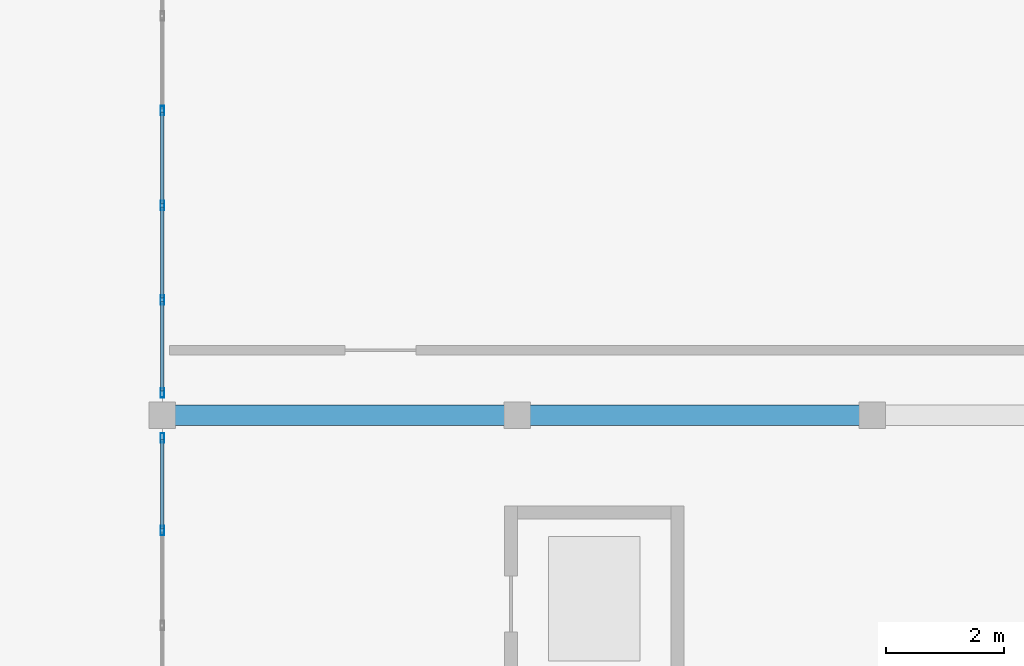
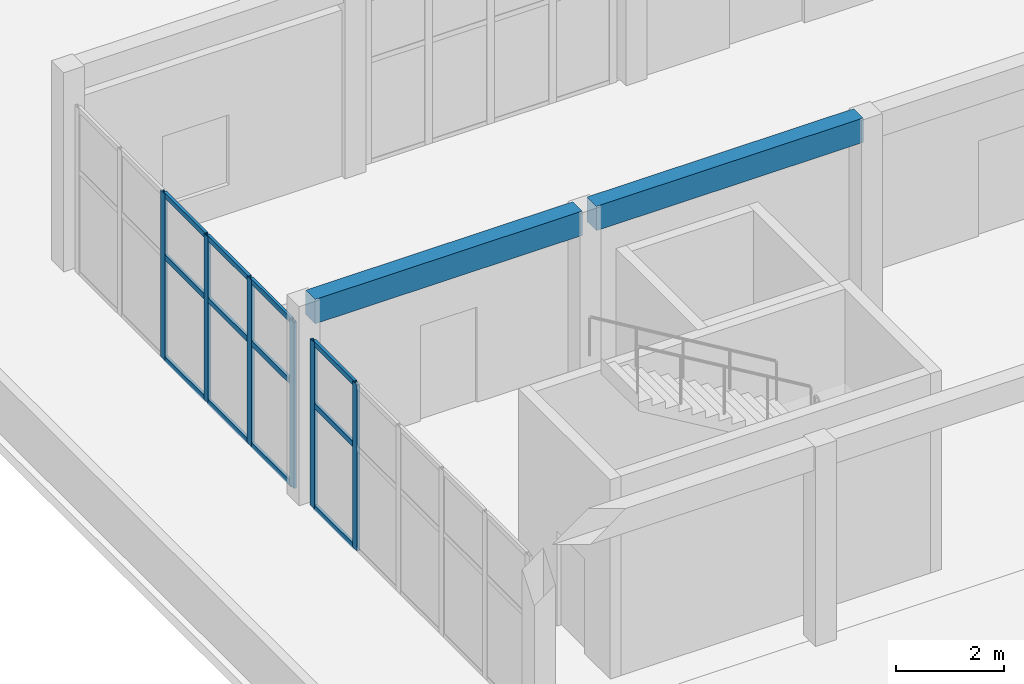
# One storey, part 47 of 132: 18 members, 2 beams, 2 elements without a shape of their own.
"""IFC4 building model written with IfcOpenShell, lengths in metres."""

from ifc_helpers import new_model, si_unit, direction, frame, origin, origin_2d, place, context, subcontext, project, spatial, rectangle, hollow_rectangle, extrude, material, material_profile, profile_set, type_object, element, aggregate, save


model = new_model("IFC4")

# Units and contexts
model_context = context("Model", 3, precision=1e-05, world=origin(), true_north=direction((0.0, 1.0)))
body_context = subcontext(model_context, "Body", "Model", "MODEL_VIEW")
ifc_project = project(units=[si_unit("LENGTHUNIT", "METRE"), si_unit("AREAUNIT", "SQUARE_METRE"), si_unit("VOLUMEUNIT", "CUBIC_METRE"), si_unit("PLANEANGLEUNIT", "RADIAN"), si_unit("MASSUNIT", "GRAM", prefix="KILO")], contexts=[model_context])

# Site, building, storey
site_placement = place(None, origin())
site = spatial("IfcSite", under=ifc_project, at=site_placement, CompositionType="ELEMENT")
building_placement = place(site_placement, origin())
building = spatial("IfcBuilding", under=site, at=building_placement, Name="Tanwirah Colonnade Gardens", CompositionType="ELEMENT")
storey_placement = place(building_placement, origin())
storey = spatial("IfcBuildingStorey", under=building, at=storey_placement, Name="L00", CompositionType="ELEMENT", Elevation=0.0)

# Beams
ifc_material_1 = material(Name="Precast concrete C40/50", Category="concrete")
ifc_material_profile_1 = material_profile(ifc_material_1, rectangle(XDim=0.35009765625, YDim=0.550048828125, at=origin_2d()), Name="PC-BM 350x550")
ifc_profile_set_1 = profile_set([ifc_material_profile_1], Name="Precast concrete C40/50")
beam_type = type_object("IfcBeamType", Name="BM-PC350A", PredefinedType="BEAM", material=ifc_profile_set_1)
for number, where, z_axis, x_axis, name in (
    (1, (78.14990234375, 100.699951171875, 4.219970703125), (1.0, 0.0, 0.0), (0.0, 1.0, 0.0), "Nursery L00 Beam X-0.1"),
    (2, (84.14990234375, 100.699951171875, 4.219970703125), (1.0, 0.0, 0.0), (0.0, 1.0, 0.0), "Nursery L00 Beam X-1.1"),
):
    element("IfcBeam", number, at=place(storey_placement, frame(where, z_axis=z_axis, x_axis=x_axis)), inside=storey, type_object=beam_type, Name=name, PredefinedType="BEAM", context=body_context, shape_type="SweptSolid", body=[
        extrude(rectangle(XDim=0.35009765625, YDim=0.550048828125, at=origin_2d()), origin(), (0.0, 0.0, 1.0), 5.7001953125),
    ])

# Curtain wall, members
ifc_material_2 = material(Name="Bronze-anodised aluminium and solar-control low-E glass", Category="aluminium")
curtain_wall_type = type_object("IfcCurtainWallType", Name="CW-NUR", PredefinedType="NOTDEFINED", material=ifc_material_2)
curtain_wall_1_placement = place(storey_placement, origin())
curtain_wall_1 = element("IfcCurtainWall", 3, at=curtain_wall_1_placement, inside=storey, type_object=curtain_wall_type, Name="Curtain Wall CW-NUR-L00-W-1", PredefinedType="NOTDEFINED")
ifc_material_3 = material(Name="Bronze-anodised aluminium", Category="aluminium")
ifc_material_profile_2 = material_profile(ifc_material_3, hollow_rectangle(XDim=0.06005859375, YDim=0.159912109375, WallThickness=0.00390625, at=origin_2d()), Name="CW-MUL 60x160x4")
ifc_profile_set_2 = profile_set([ifc_material_profile_2], Name="Bronze-anodised aluminium")
member_type_1 = type_object("IfcMemberType", Name="CWM-60x160", PredefinedType="MULLION", material=ifc_profile_set_2)
member_1_placement = place(storey_placement, frame((78.0, 98.75, 0.0), z_axis=(0.0, 0.0, 1.0), x_axis=(-1.0, 0.0, 0.0)))
member_1 = element("IfcMember", 4, at=member_1_placement, type_object=member_type_1, Name="CW-NUR mullion 5", PredefinedType="MULLION", context=body_context, shape_type="SweptSolid", body=[
    extrude(hollow_rectangle(XDim=0.06005859375, YDim=0.159912109375, WallThickness=0.00390625, at=origin_2d()), origin(), (0.0, 0.0, 1.0), 3.75),
])
member_2_placement = place(storey_placement, frame((78.0, 100.320068359375, 0.0), z_axis=(0.0, 0.0, 1.0), x_axis=(-1.0, 0.0, 0.0)))
member_2 = element("IfcMember", 5, at=member_2_placement, type_object=member_type_1, Name="CW-NUR mullion 6", PredefinedType="MULLION", context=body_context, shape_type="SweptSolid", body=[
    extrude(hollow_rectangle(XDim=0.06005859375, YDim=0.159912109375, WallThickness=0.00390625, at=origin_2d()), origin(), (0.0, 0.0, 1.0), 3.75),
])

curtain_wall_2_placement = place(storey_placement, origin())
curtain_wall_2 = element("IfcCurtainWall", 6, at=curtain_wall_2_placement, inside=storey, type_object=curtain_wall_type, Name="Curtain Wall CW-NUR-L00-W-2", PredefinedType="NOTDEFINED")
member_3_placement = place(storey_placement, frame((78.0, 101.080078125, 0.0), z_axis=(0.0, 0.0, 1.0), x_axis=(-1.0, 0.0, 0.0)))
member_3 = element("IfcMember", 7, at=member_3_placement, type_object=member_type_1, Name="CW-NUR mullion 1", PredefinedType="MULLION", context=body_context, shape_type="SweptSolid", body=[
    extrude(hollow_rectangle(XDim=0.06005859375, YDim=0.159912109375, WallThickness=0.00390625, at=origin_2d()), origin(), (0.0, 0.0, 1.0), 3.75),
])
member_4_placement = place(storey_placement, frame((78.0, 102.64990234375, 0.0), z_axis=(0.0, 0.0, 1.0), x_axis=(-1.0, 0.0, 0.0)))
member_4 = element("IfcMember", 8, at=member_4_placement, type_object=member_type_1, Name="CW-NUR mullion 2", PredefinedType="MULLION", context=body_context, shape_type="SweptSolid", body=[
    extrude(hollow_rectangle(XDim=0.06005859375, YDim=0.159912109375, WallThickness=0.00390625, at=origin_2d()), origin(), (0.0, 0.0, 1.0), 3.75),
])
member_5_placement = place(storey_placement, frame((78.0, 104.25, 0.0), z_axis=(0.0, 0.0, 1.0), x_axis=(-1.0, 0.0, 0.0)))
member_5 = element("IfcMember", 9, at=member_5_placement, type_object=member_type_1, Name="CW-NUR mullion 3", PredefinedType="MULLION", context=body_context, shape_type="SweptSolid", body=[
    extrude(hollow_rectangle(XDim=0.06005859375, YDim=0.159912109375, WallThickness=0.00390625, at=origin_2d()), origin(), (0.0, 0.0, 1.0), 3.75),
])
member_6_placement = place(storey_placement, frame((78.0, 105.85009765625, 0.0), z_axis=(0.0, 0.0, 1.0), x_axis=(-1.0, 0.0, 0.0)))
member_6 = element("IfcMember", 10, at=member_6_placement, type_object=member_type_1, Name="CW-NUR mullion 4", PredefinedType="MULLION", context=body_context, shape_type="SweptSolid", body=[
    extrude(hollow_rectangle(XDim=0.06005859375, YDim=0.159912109375, WallThickness=0.00390625, at=origin_2d()), origin(), (0.0, 0.0, 1.0), 3.75),
])

# Member
ifc_material_profile_3 = material_profile(ifc_material_3, hollow_rectangle(XDim=0.06005859375, YDim=0.1201171875, WallThickness=0.00390625, at=origin_2d()), Name="CW-TRN 60x120x4")
ifc_profile_set_3 = profile_set([ifc_material_profile_3], Name="Bronze-anodised aluminium")
member_type_2 = type_object("IfcMemberType", Name="CWT-60x120", PredefinedType="USERDEFINED", material=ifc_profile_set_3)
member_7_placement = place(storey_placement, frame((78.0, 98.780029296875, 0.030029296875), z_axis=(0.0, 1.0, 0.0), x_axis=(-1.0, 0.0, 0.0)))
member_7 = element("IfcMember", 11, at=member_7_placement, type_object=member_type_2, Name="CW-NUR transom 5.1", ObjectType="TRANSOM", PredefinedType="USERDEFINED", context=body_context, shape_type="SweptSolid", body=[
    extrude(hollow_rectangle(XDim=0.06005859375, YDim=0.1201171875, WallThickness=0.00390625, at=origin_2d()), origin(), (0.0, 0.0, 1.0), 1.510009765625),
])

member_8_placement = place(storey_placement, frame((78.0, 98.780029296875, 2.324951171875), z_axis=(0.0, 1.0, 0.0), x_axis=(-1.0, 0.0, 0.0)))
member_8 = element("IfcMember", 12, at=member_8_placement, type_object=member_type_2, Name="CW-NUR transom 5.2", ObjectType="TRANSOM", PredefinedType="USERDEFINED", context=body_context, shape_type="SweptSolid", body=[
    extrude(hollow_rectangle(XDim=0.06005859375, YDim=0.1201171875, WallThickness=0.00390625, at=origin_2d()), origin(), (0.0, 0.0, 1.0), 1.510009765625),
])

member_9_placement = place(storey_placement, frame((78.0, 98.780029296875, 3.719970703125), z_axis=(0.0, 1.0, 0.0), x_axis=(-1.0, 0.0, 0.0)))
member_9 = element("IfcMember", 13, at=member_9_placement, type_object=member_type_2, Name="CW-NUR transom 5.3", ObjectType="TRANSOM", PredefinedType="USERDEFINED", context=body_context, shape_type="SweptSolid", body=[
    extrude(hollow_rectangle(XDim=0.06005859375, YDim=0.1201171875, WallThickness=0.00390625, at=origin_2d()), origin(), (0.0, 0.0, 1.0), 1.510009765625),
])

aggregate(curtain_wall_1, [member_1, member_2, member_7, member_8, member_9])

member_10_placement = place(storey_placement, frame((78.0, 101.110107421875, 0.030029296875), z_axis=(0.0, 1.0, 0.0), x_axis=(-1.0, 0.0, 0.0)))
member_10 = element("IfcMember", 14, at=member_10_placement, type_object=member_type_2, Name="CW-NUR transom 1.1", ObjectType="TRANSOM", PredefinedType="USERDEFINED", context=body_context, shape_type="SweptSolid", body=[
    extrude(hollow_rectangle(XDim=0.06005859375, YDim=0.1201171875, WallThickness=0.00390625, at=origin_2d()), origin(), (0.0, 0.0, 1.0), 1.510009765625),
])

member_11_placement = place(storey_placement, frame((78.0, 101.110107421875, 2.324951171875), z_axis=(0.0, 1.0, 0.0), x_axis=(-1.0, 0.0, 0.0)))
member_11 = element("IfcMember", 15, at=member_11_placement, type_object=member_type_2, Name="CW-NUR transom 1.2", ObjectType="TRANSOM", PredefinedType="USERDEFINED", context=body_context, shape_type="SweptSolid", body=[
    extrude(hollow_rectangle(XDim=0.06005859375, YDim=0.1201171875, WallThickness=0.00390625, at=origin_2d()), origin(), (0.0, 0.0, 1.0), 1.510009765625),
])

member_12_placement = place(storey_placement, frame((78.0, 101.110107421875, 3.719970703125), z_axis=(0.0, 1.0, 0.0), x_axis=(-1.0, 0.0, 0.0)))
member_12 = element("IfcMember", 16, at=member_12_placement, type_object=member_type_2, Name="CW-NUR transom 1.3", ObjectType="TRANSOM", PredefinedType="USERDEFINED", context=body_context, shape_type="SweptSolid", body=[
    extrude(hollow_rectangle(XDim=0.06005859375, YDim=0.1201171875, WallThickness=0.00390625, at=origin_2d()), origin(), (0.0, 0.0, 1.0), 1.510009765625),
])

member_13_placement = place(storey_placement, frame((78.0, 102.679931640625, 0.030029296875), z_axis=(0.0, 1.0, 0.0), x_axis=(-1.0, 0.0, 0.0)))
member_13 = element("IfcMember", 17, at=member_13_placement, type_object=member_type_2, Name="CW-NUR transom 2.1", ObjectType="TRANSOM", PredefinedType="USERDEFINED", context=body_context, shape_type="SweptSolid", body=[
    extrude(hollow_rectangle(XDim=0.06005859375, YDim=0.1201171875, WallThickness=0.00390625, at=origin_2d()), origin(), (0.0, 0.0, 1.0), 1.5400390625),
])

member_14_placement = place(storey_placement, frame((78.0, 102.679931640625, 2.324951171875), z_axis=(0.0, 1.0, 0.0), x_axis=(-1.0, 0.0, 0.0)))
member_14 = element("IfcMember", 18, at=member_14_placement, type_object=member_type_2, Name="CW-NUR transom 2.2", ObjectType="TRANSOM", PredefinedType="USERDEFINED", context=body_context, shape_type="SweptSolid", body=[
    extrude(hollow_rectangle(XDim=0.06005859375, YDim=0.1201171875, WallThickness=0.00390625, at=origin_2d()), origin(), (0.0, 0.0, 1.0), 1.5400390625),
])

member_15_placement = place(storey_placement, frame((78.0, 102.679931640625, 3.719970703125), z_axis=(0.0, 1.0, 0.0), x_axis=(-1.0, 0.0, 0.0)))
member_15 = element("IfcMember", 19, at=member_15_placement, type_object=member_type_2, Name="CW-NUR transom 2.3", ObjectType="TRANSOM", PredefinedType="USERDEFINED", context=body_context, shape_type="SweptSolid", body=[
    extrude(hollow_rectangle(XDim=0.06005859375, YDim=0.1201171875, WallThickness=0.00390625, at=origin_2d()), origin(), (0.0, 0.0, 1.0), 1.5400390625),
])

member_16_placement = place(storey_placement, frame((78.0, 104.280029296875, 0.030029296875), z_axis=(0.0, 1.0, 0.0), x_axis=(-1.0, 0.0, 0.0)))
member_16 = element("IfcMember", 20, at=member_16_placement, type_object=member_type_2, Name="CW-NUR transom 3.1", ObjectType="TRANSOM", PredefinedType="USERDEFINED", context=body_context, shape_type="SweptSolid", body=[
    extrude(hollow_rectangle(XDim=0.06005859375, YDim=0.1201171875, WallThickness=0.00390625, at=origin_2d()), origin(), (0.0, 0.0, 1.0), 1.5400390625),
])

member_17_placement = place(storey_placement, frame((78.0, 104.280029296875, 2.324951171875), z_axis=(0.0, 1.0, 0.0), x_axis=(-1.0, 0.0, 0.0)))
member_17 = element("IfcMember", 21, at=member_17_placement, type_object=member_type_2, Name="CW-NUR transom 3.2", ObjectType="TRANSOM", PredefinedType="USERDEFINED", context=body_context, shape_type="SweptSolid", body=[
    extrude(hollow_rectangle(XDim=0.06005859375, YDim=0.1201171875, WallThickness=0.00390625, at=origin_2d()), origin(), (0.0, 0.0, 1.0), 1.5400390625),
])

member_18_placement = place(storey_placement, frame((78.0, 104.280029296875, 3.719970703125), z_axis=(0.0, 1.0, 0.0), x_axis=(-1.0, 0.0, 0.0)))
member_18 = element("IfcMember", 22, at=member_18_placement, type_object=member_type_2, Name="CW-NUR transom 3.3", ObjectType="TRANSOM", PredefinedType="USERDEFINED", context=body_context, shape_type="SweptSolid", body=[
    extrude(hollow_rectangle(XDim=0.06005859375, YDim=0.1201171875, WallThickness=0.00390625, at=origin_2d()), origin(), (0.0, 0.0, 1.0), 1.5400390625),
])

aggregate(curtain_wall_2, [member_3, member_4, member_5, member_6, member_10, member_11, member_12, member_13, member_14, member_15, member_16, member_17, member_18])

save(model, "model.ifc")
